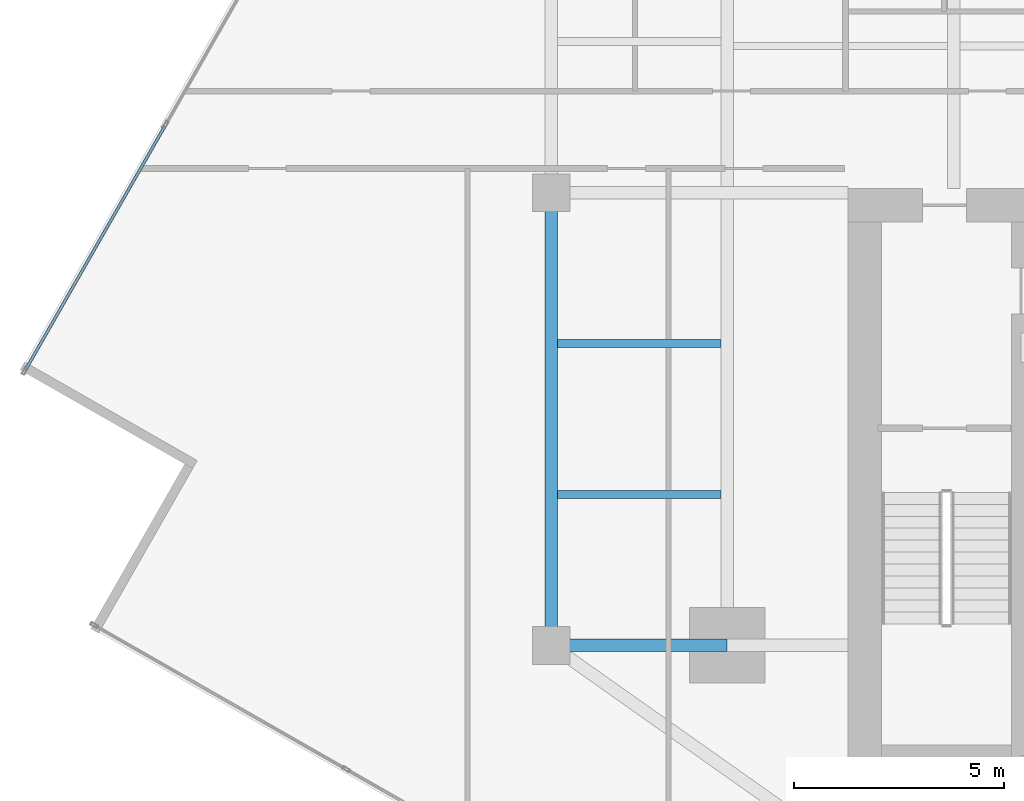
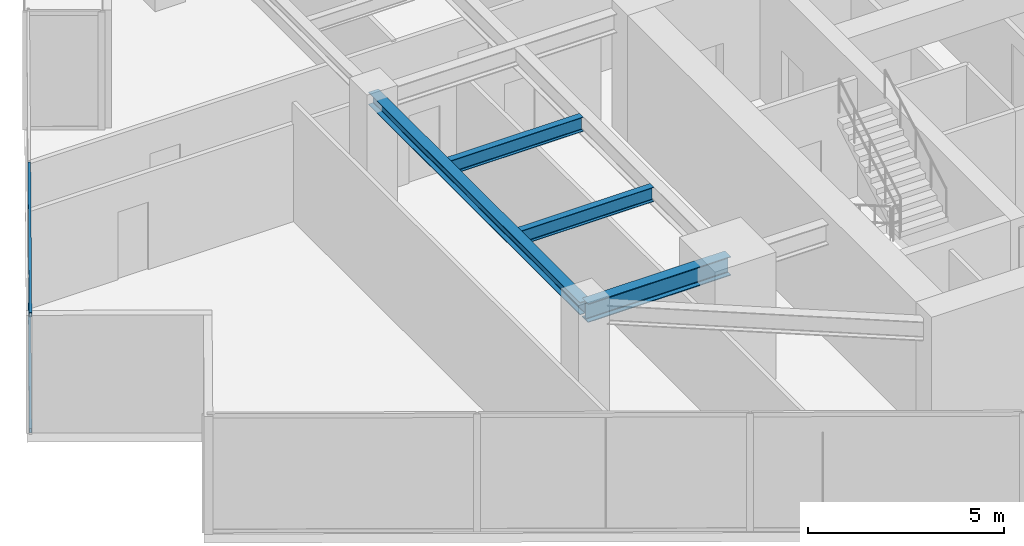
# One storey, part 6 of 24: 4 beams, 2 members, 1 element without a shape of its own.
"""IFC4 building model written with IfcOpenShell, lengths in metres."""

from ifc_helpers import new_model, si_unit, direction, frame, origin, origin_2d, place, context, subcontext, project, spatial, hollow_rectangle, i_section, extrude, source, transform, mapped, material, material_profile, profile_set, type_object, type_shapes, element, aggregate, save


model = new_model("IFC4")

# Units and contexts
model_context = context("Model", 3, precision=1e-05, world=origin(), true_north=direction((0.0, 1.0)))
body_context = subcontext(model_context, "Body", "Model", "MODEL_VIEW")
ifc_project = project(units=[si_unit("LENGTHUNIT", "METRE"), si_unit("AREAUNIT", "SQUARE_METRE"), si_unit("VOLUMEUNIT", "CUBIC_METRE"), si_unit("PLANEANGLEUNIT", "RADIAN"), si_unit("MASSUNIT", "GRAM", prefix="KILO")], contexts=[model_context])

# Site, building, storey
site_placement = place(None, origin())
site = spatial("IfcSite", under=ifc_project, at=site_placement, CompositionType="ELEMENT")
building_placement = place(site_placement, origin())
building = spatial("IfcBuilding", under=site, at=building_placement, Name="Krantzveldt Concourse Tower", CompositionType="ELEMENT")
storey_placement = place(building_placement, frame((0.0, 0.0, 165.949951171875)))
storey = spatial("IfcBuildingStorey", under=building, at=storey_placement, Name="L40", CompositionType="ELEMENT", Elevation=165.949951171875)

# Beams
ifc_material_1 = material(Name="Steel S355JR", Category="steel")
ifc_material_profile_1 = material_profile(ifc_material_1, i_section(OverallWidth=0.300048828125, OverallDepth=0.590087890625, WebThickness=0.012939453125, FlangeThickness=0.02490234375, FilletRadius=0.027099609375, at=origin_2d()), Name="Steel S355JR", Category="steel")
ifc_profile_set_1 = profile_set([ifc_material_profile_1], Name="Steel S355JR - HEA 600")
beam_type_1 = type_object("IfcBeamType", Name="BM-B-HEA600", PredefinedType="BEAM", material=ifc_profile_set_1)
shared_shape_1 = source(origin(), body_context, "Body", "SweptSolid", [
    extrude(i_section(OverallWidth=0.300048828125, OverallDepth=0.590087890625, WebThickness=0.012939453125, FlangeThickness=0.02490234375, FilletRadius=0.027099609375, at=origin_2d()), origin(), (0.0, 0.0, 1.0), 4.199951171875),
])
type_shapes(beam_type_1, [shared_shape_1])
beam_1_placement = place(storey_placement, frame((21.0, 15.89990234375, 3.375), z_axis=(1.0, 0.0, 0.0), x_axis=(0.0, 1.0, 0.0)))
element("IfcBeam", 1, at=beam_1_placement, inside=storey, type_object=beam_type_1, Name="L40 Tower Girder BR-RL1", PredefinedType="BEAM", context=body_context, shape_type="MappedRepresentation", body=[
    mapped(shared_shape_1, transform((0.0, 0.0, 0.0), x_axis=(1.0, 0.0, 0.0), y_axis=(0.0, 1.0, 0.0), z_axis=(0.0, 0.0, 1.0), scale=1.0)),
])
ifc_material_profile_2 = material_profile(ifc_material_1, i_section(OverallWidth=0.300048828125, OverallDepth=0.389892578125, WebThickness=0.010986328125, FlangeThickness=0.01904296875, FilletRadius=0.027099609375, at=origin_2d()), Name="Steel S355JR", Category="steel")
ifc_profile_set_2 = profile_set([ifc_material_profile_2], Name="Steel S355JR - HEA 400")
beam_type_2 = type_object("IfcBeamType", Name="BM-SP-HEA400", PredefinedType="SPANDREL", material=ifc_profile_set_2)
shared_shape_2 = source(origin(), body_context, "Body", "SweptSolid", [
    extrude(i_section(OverallWidth=0.300048828125, OverallDepth=0.389892578125, WebThickness=0.010986328125, FlangeThickness=0.01904296875, FilletRadius=0.027099609375, at=origin_2d()), origin(), (0.0, 0.0, 1.0), 10.800048828125),
])
type_shapes(beam_type_2, [shared_shape_2])
beam_2_placement = place(storey_placement, frame((21.0, 15.89990234375, 3.47509765625), z_axis=(0.0, 1.0, 0.0), x_axis=(-1.0, 0.0, 0.0)))
element("IfcBeam", 2, at=beam_2_placement, inside=storey, type_object=beam_type_2, Name="L40 Tower Girder SP-R01", PredefinedType="SPANDREL", context=body_context, shape_type="MappedRepresentation", body=[
    mapped(shared_shape_2, transform((0.0, 0.0, 0.0), x_axis=(1.0, 0.0, 0.0), y_axis=(0.0, 1.0, 0.0), z_axis=(0.0, 0.0, 1.0), scale=1.0)),
])
ifc_material_profile_3 = material_profile(ifc_material_1, i_section(OverallWidth=0.18994140625, OverallDepth=0.449951171875, WebThickness=0.009521484375, FlangeThickness=0.0146484375, FilletRadius=0.02099609375, at=origin_2d()), Name="Steel S355JR", Category="steel")
ifc_profile_set_3 = profile_set([ifc_material_profile_3], Name="Steel S355JR - IPE 450")
beam_type_3 = type_object("IfcBeamType", Name="BM-J-IPE450", PredefinedType="JOIST", material=ifc_profile_set_3)
shared_shape_3 = source(origin(), body_context, "Body", "SweptSolid", [
    extrude(i_section(OverallWidth=0.18994140625, OverallDepth=0.449951171875, WebThickness=0.009521484375, FlangeThickness=0.0146484375, FilletRadius=0.02099609375, at=origin_2d()), origin(), (0.0, 0.0, 1.0), 3.900146484375),
])
type_shapes(beam_type_3, [shared_shape_3])
for number, where, z_axis, x_axis, name in (
    (3, (21.14990234375, 19.5, 3.445068359375), (1.0, 0.0, 0.0), (0.0, 1.0, 0.0), "L40 Secondary Floor Joist JW-1"),
    (4, (21.14990234375, 23.10009765625, 3.445068359375), (1.0, 0.0, 0.0), (0.0, 1.0, 0.0), "L40 Secondary Floor Joist JW-2"),
):
    element("IfcBeam", number, at=place(storey_placement, frame(where, z_axis=z_axis, x_axis=x_axis)), inside=storey, type_object=beam_type_3, Name=name, PredefinedType="JOIST", context=body_context, shape_type="MappedRepresentation", body=[
        mapped(shared_shape_3, transform((0.0, 0.0, 0.0), x_axis=(1.0, 0.0, 0.0), y_axis=(0.0, 1.0, 0.0), z_axis=(0.0, 0.0, 1.0), scale=1.0)),
    ])

# Curtain wall, members
ifc_material_2 = material(Name="Anodised aluminium 6063-T6", Category="aluminium")
curtain_wall_type = type_object("IfcCurtainWallType", Name="CW3", PredefinedType="USERDEFINED", material=ifc_material_2)
curtain_wall_placement = place(storey_placement, origin())
curtain_wall = element("IfcCurtainWall", 5, at=curtain_wall_placement, inside=storey, type_object=curtain_wall_type, Name="CW-L40-F05", ObjectType="UNITISED CURTAIN WALL", PredefinedType="USERDEFINED")
ifc_material_profile_4 = material_profile(ifc_material_2, hollow_rectangle(XDim=0.070068359375, YDim=0.139892578125, WallThickness=0.0048828125, at=origin_2d()), Name="Anodised aluminium 6063-T6", Category="aluminium")
ifc_profile_set_4 = profile_set([ifc_material_profile_4], Name="Anodised aluminium 6063-T6 - ALU-TRAN 140x70x5")
member_type = type_object("IfcMemberType", Name="CW-TRN-150", PredefinedType="USERDEFINED", material=ifc_profile_set_4)
shared_shape_4 = source(origin(), body_context, "Body", "SweptSolid", [
    extrude(hollow_rectangle(XDim=0.070068359375, YDim=0.139892578125, WallThickness=0.0048828125, at=origin_2d()), origin(), (0.0, 0.0, 1.0), 6.695068359375),
])
type_shapes(member_type, [shared_shape_4])
member_1_placement = place(storey_placement, frame((11.787353515625, 28.289306640625, 0.03515625), z_axis=(-0.496217476605, -0.868198258413, 0.0), x_axis=(0.868198258413, -0.496217476605, 0.0)))
member_1 = element("IfcMember", 6, at=member_1_placement, type_object=member_type, Name="CW-Z34 transom 2.1", ObjectType="TRANSOM", PredefinedType="USERDEFINED", context=body_context, shape_type="MappedRepresentation", body=[
    mapped(shared_shape_4, transform((0.0, 0.0, 0.0), x_axis=(1.0, 0.0, 0.0), y_axis=(0.0, 1.0, 0.0), z_axis=(0.0, 0.0, 1.0), scale=1.0)),
])
member_2_placement = place(storey_placement, frame((11.787353515625, 28.289306640625, 3.635009765625), z_axis=(-0.496217476605, -0.868198258413, 0.0), x_axis=(0.868198258413, -0.496217476605, 0.0)))
member_2 = element("IfcMember", 7, at=member_2_placement, type_object=member_type, Name="CW-Z34 transom 2.2", ObjectType="TRANSOM", PredefinedType="USERDEFINED", context=body_context, shape_type="MappedRepresentation", body=[
    mapped(shared_shape_4, transform((0.0, 0.0, 0.0), x_axis=(1.0, 0.0, 0.0), y_axis=(0.0, 1.0, 0.0), z_axis=(0.0, 0.0, 1.0), scale=1.0)),
])
aggregate(curtain_wall, [member_1, member_2])

save(model, "model.ifc")
